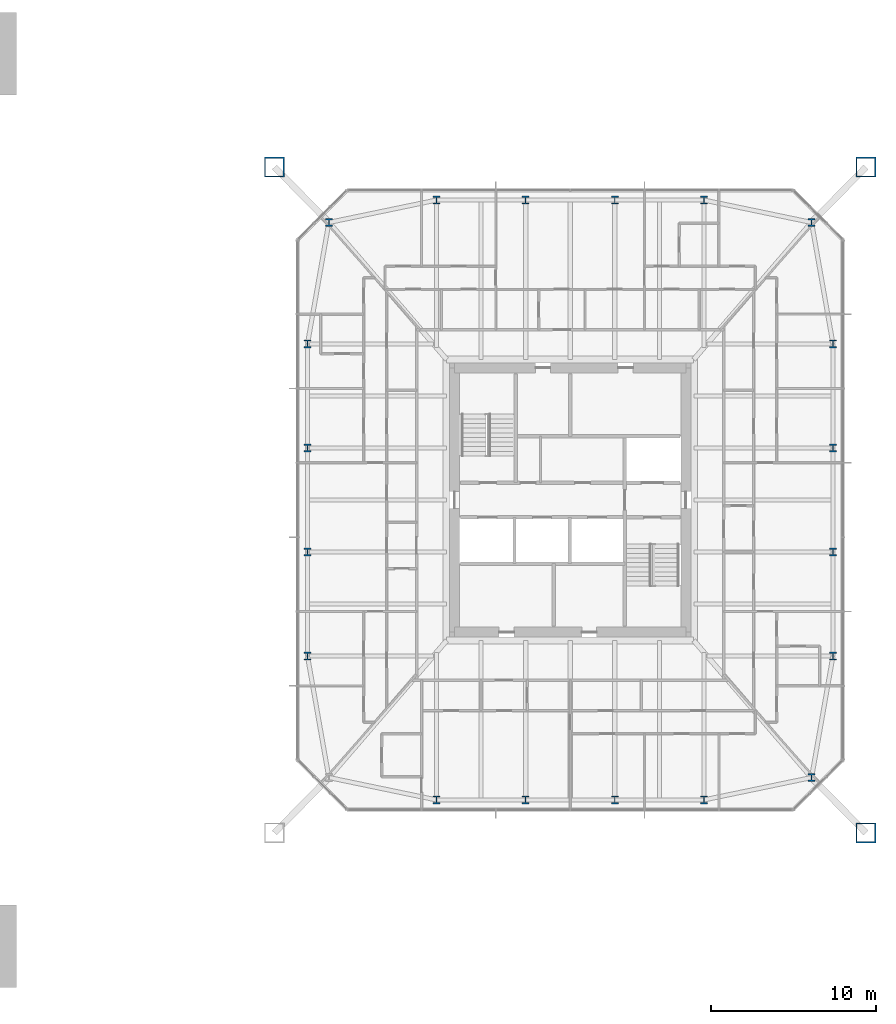
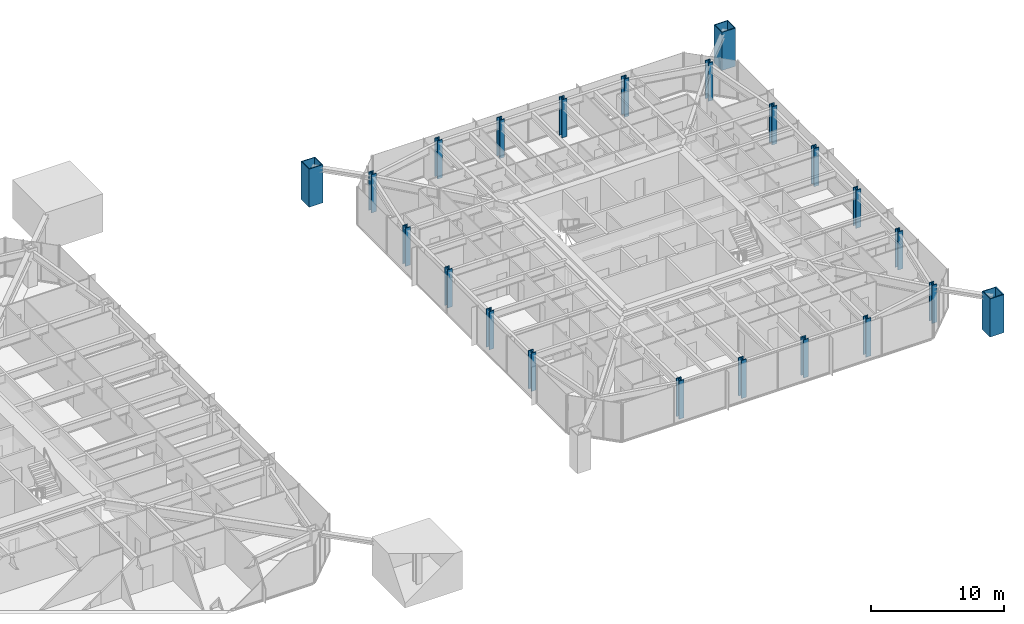
# One storey, part 2 of 26: 22 columns.
"""IFC4 building model written with IfcOpenShell, lengths in metres."""

import ifcopenshell
import ifcopenshell.guid

model = None  # the IFC model being written
_history = None  # IfcOwnerHistory: only IFC2X3 demands one
_inside = {}  # id of a spatial element -> (the spatial element, [elements in it])
_under = {}  # id of a project, library or spatial element -> (it, [spatial elements below it])
_declared = {}  # id of a project -> (the project, [libraries it declares])
_typed = {}  # id of a type object -> (the type object, [elements of that type])
_made_of = {}  # id of a material, layer set ... -> (it, [elements and type objects made of it])


def new_model(schema):
    """Start an empty IFC model of exactly this schema.

    Asked for "IFC4X3", IfcOpenShell would pick the latest addendum, in which some entities
    have other attributes; the version numbers below select the first issue.
    IFC2X3 requires an IfcOwnerHistory on every rooted entity: one is made here for all.
    """
    global model, _history
    if schema == "IFC4X3":
        model = ifcopenshell.file(schema_version=(4, 3, 0, 0))
    else:
        model = ifcopenshell.file(schema=schema)
    _inside.clear()
    _under.clear()
    _declared.clear()
    _typed.clear()
    _made_of.clear()
    _history = None
    if model.schema == "IFC2X3":
        org = make("IfcOrganization", Name="unknown")
        user = make(
            "IfcPersonAndOrganization",
            ThePerson=make("IfcPerson", FamilyName="unknown"),
            TheOrganization=org,
        )
        app = make(
            "IfcApplication",
            ApplicationDeveloper=org,
            Version="unknown",
            ApplicationFullName="unknown",
            ApplicationIdentifier="unknown",
        )
        _history = make(
            "IfcOwnerHistory",
            OwningUser=user,
            OwningApplication=app,
            ChangeAction="ADDED",
            CreationDate=0,
        )
    return model


def make(cls, **values):
    """One entity of the class cls with the attributes given. An attribute that is None is left unset."""
    return model.create_entity(
        cls, **{name: value for name, value in values.items() if value is not None}
    )


def rooted(cls, **values):
    """An entity with a GlobalId (a new one), such as an element, a storey or a relation."""
    return make(cls, GlobalId=ifcopenshell.guid.new(), OwnerHistory=_history, **values)


def si_unit(unit_type, name, prefix=None):
    """IfcSIUnit, for example si_unit("LENGTHUNIT", "METRE", prefix="MILLI")."""
    return make("IfcSIUnit", UnitType=unit_type, Prefix=prefix, Name=name)


def assignment(units):
    """IfcUnitAssignment: the units of a project."""
    return None if units is None else make("IfcUnitAssignment", Units=units)


def point(xyz):
    """IfcCartesianPoint."""
    return None if xyz is None else make("IfcCartesianPoint", Coordinates=xyz)


def direction(xyz):
    """IfcDirection."""
    return None if xyz is None else make("IfcDirection", DirectionRatios=xyz)


def frame(location, z_axis=None, x_axis=None):
    """IfcAxis2Placement3D, a coordinate frame: its origin and axes. An axis left out is left unset."""
    return make(
        "IfcAxis2Placement3D",
        Location=point(location),
        Axis=direction(z_axis),
        RefDirection=direction(x_axis),
    )


def frame_2d(location, x_axis=None):
    """IfcAxis2Placement2D, a coordinate frame in the plane: its origin and x axis."""
    return make(
        "IfcAxis2Placement2D", Location=point(location), RefDirection=direction(x_axis)
    )


def origin():
    """The frame at (0, 0, 0) with its axes left unset."""
    return frame((0.0, 0.0, 0.0))


def origin_2d():
    """The frame at (0, 0) in the plane with its x axis left unset."""
    return frame_2d((0.0, 0.0))


def place(relative_to, where):
    """IfcLocalPlacement: puts the frame where relative to a parent placement (None: the world)."""
    return make(
        "IfcLocalPlacement", PlacementRelTo=relative_to, RelativePlacement=where
    )


def context(
    kind, dimensions, precision=None, world=None, true_north=None, identifier=None
):
    """IfcGeometricRepresentationContext, for example the 3D "Model" context."""
    return make(
        "IfcGeometricRepresentationContext",
        ContextIdentifier=identifier,
        ContextType=kind,
        CoordinateSpaceDimension=dimensions,
        Precision=precision,
        WorldCoordinateSystem=world,
        TrueNorth=true_north,
    )


def subcontext(parent, identifier, kind, view, scale=None):
    """IfcGeometricRepresentationSubContext, for example "Body" below "Model"."""
    return make(
        "IfcGeometricRepresentationSubContext",
        ContextIdentifier=identifier,
        ContextType=kind,
        ParentContext=parent,
        TargetScale=scale,
        TargetView=view,
    )


def project(units=None, contexts=None):
    """IfcProject with its units and contexts."""
    return rooted(
        "IfcProject",
        Name="project",
        RepresentationContexts=contexts,
        UnitsInContext=assignment(units),
    )


def spatial(cls, under=None, at=None, **own):
    """A site, building, storey or space (cls), placed at a placement, below another one or the project."""
    s = rooted(cls, ObjectPlacement=at, **own)
    if under is not None:
        _under.setdefault(under.id(), (under, []))[1].append(s)
    return s


def profile(cls, at=None, kind="AREA", **sizes):
    """A parametric profile (cls). Its sizes go by their IFC names, for example OverallWidth=200.0."""
    return make(cls, ProfileType=kind, Position=at, **sizes)


def hollow_rectangle(**sizes):
    """IfcRectangleHollowProfileDef."""
    return profile("IfcRectangleHollowProfileDef", **sizes)


def i_section(**sizes):
    """IfcIShapeProfileDef."""
    return profile("IfcIShapeProfileDef", **sizes)


def extrude(swept, where, along, depth):
    """IfcExtrudedAreaSolid: the profile swept, set in the frame where, extruded along a direction by depth."""
    return make(
        "IfcExtrudedAreaSolid",
        SweptArea=swept,
        Position=where,
        ExtrudedDirection=direction(along),
        Depth=depth,
    )


def shape(context_of_items, identifier, shape_type, items):
    """IfcShapeRepresentation: the items that make up one representation, for example the "Body"."""
    return make(
        "IfcShapeRepresentation",
        ContextOfItems=context_of_items,
        RepresentationIdentifier=identifier,
        RepresentationType=shape_type,
        Items=items,
    )


def material(Name=None, Category=None):
    """IfcMaterial."""
    return make("IfcMaterial", Name=Name, Category=Category)


def material_profile(
    of_material, cross_section, Name=None, Category=None, Priority=None
):
    """IfcMaterialProfile: a cross section and its material."""
    return make(
        "IfcMaterialProfile",
        Name=Name,
        Material=of_material,
        Profile=cross_section,
        Priority=Priority,
        Category=Category,
    )


def profile_set(profiles, Name=None, composite=None):
    """IfcMaterialProfileSet."""
    return make(
        "IfcMaterialProfileSet",
        Name=Name,
        MaterialProfiles=profiles,
        CompositeProfile=composite,
    )


def made_of(thing, what):
    """Note that an element or type object is made of a material, layer set ...; save() writes the relation."""
    if what is not None:
        _made_of.setdefault(what.id(), (what, []))[1].append(thing)
    return thing


def type_object(cls, material=None, **own):
    """A type object (cls), such as IfcWallType, which elements share."""
    return made_of(rooted(cls, **own), material)


def element(
    cls,
    number,
    at=None,
    inside=None,
    cuts=None,
    type_object=None,
    material=None,
    context=None,
    identifier="Body",
    shape_type=None,
    held_by="IfcProductDefinitionShape",
    body=None,
    shapes=None,
    **own,
):
    """One element of the class cls, such as IfcWall. Its Tag is "e" and its number.

    at: its placement. inside: the storey or other place that contains it. cuts: it is an
    opening in that element (IfcRelVoidsElement). A single representation is given by context,
    identifier, shape_type and body (its items); several are given by shapes. held_by: the class
    of the entity that holds the representations. save() writes the other relations.
    """
    e = rooted(cls, Tag="e%d" % number, ObjectPlacement=at, **own)
    if body is not None:
        shapes = [shape(context, identifier, shape_type, body)]
    if shapes is not None:
        e.Representation = make(held_by, Representations=shapes)
    if inside is not None:
        _inside.setdefault(inside.id(), (inside, []))[1].append(e)
    if cuts is not None:
        rooted(
            "IfcRelVoidsElement", RelatingBuildingElement=cuts, RelatedOpeningElement=e
        )
    if type_object is not None:
        _typed.setdefault(type_object.id(), (type_object, []))[1].append(e)
    return made_of(e, material)


def aggregate(whole, parts):
    """IfcRelAggregates: a whole, such as a stair, and the parts it consists of."""
    return rooted("IfcRelAggregates", RelatingObject=whole, RelatedObjects=parts)


def save(model, path):
    """Write the relations noted so far, then the file.

    IfcRelAggregates (storeys below a building ...), IfcRelContainedInSpatialStructure (elements
    in a storey), IfcRelDefinesByType, IfcRelAssociatesMaterial and IfcRelDeclares: one each for
    every whole, place, type object, material and project.
    """
    for whole, parts in _under.values():
        aggregate(whole, parts)
    for where, things in _inside.values():
        rooted(
            "IfcRelContainedInSpatialStructure",
            RelatedElements=things,
            RelatingStructure=where,
        )
    for kind, things in _typed.values():
        rooted("IfcRelDefinesByType", RelatedObjects=things, RelatingType=kind)
    for what, things in _made_of.values():
        rooted("IfcRelAssociatesMaterial", RelatedObjects=things, RelatingMaterial=what)
    for by, libraries in _declared.values():
        rooted("IfcRelDeclares", RelatingContext=by, RelatedDefinitions=libraries)
    model.write(path)


model = new_model("IFC4")

# Units and contexts
model_context = context("Model", 3, precision=1e-05, world=origin(), true_north=direction((0.0, 1.0)))
body_context = subcontext(model_context, "Body", "Model", "MODEL_VIEW")
ifc_project = project(units=[si_unit("LENGTHUNIT", "METRE"), si_unit("AREAUNIT", "SQUARE_METRE"), si_unit("VOLUMEUNIT", "CUBIC_METRE"), si_unit("PLANEANGLEUNIT", "RADIAN"), si_unit("MASSUNIT", "GRAM", prefix="KILO")], contexts=[model_context])

# Site, building, storey
site_placement = place(None, origin())
site = spatial("IfcSite", under=ifc_project, at=site_placement, CompositionType="ELEMENT")
building_placement = place(site_placement, origin())
building = spatial("IfcBuilding", under=site, at=building_placement, Name="Iwan Alto Co-Living Towers", CompositionType="ELEMENT")
storey_placement = place(building_placement, frame((0.0, 0.0, 22.0)))
storey = spatial("IfcBuildingStorey", under=building, at=storey_placement, Name="L05", CompositionType="ELEMENT", Elevation=22.0)

# Columns
ifc_material_1 = material(Name="Steel ASTM A572 Gr 50", Category="steel")
ifc_material_profile_1 = material_profile(ifc_material_1, hollow_rectangle(XDim=1.199951171875, YDim=1.199951171875, WallThickness=0.070068359375, at=origin_2d()), Name="BOX 1200X1200X70")
ifc_profile_set_1 = profile_set([ifc_material_profile_1], Name="Steel ASTM A572 Gr 50")
column_type_1 = type_object("IfcColumnType", Name="T2 MEGA COLUMN BOX 1200X1200X70", PredefinedType="COLUMN", material=ifc_profile_set_1)
for number, where, z_axis, x_axis, name in (
    (1, (80.89990234375, -20.14990234375, 0.0), (0.0, 0.0, 1.0), (1.0, 0.0, 0.0), "T2 mega column SE L05"),
    (2, (80.89990234375, 20.14990234375, 0.0), (0.0, 0.0, 1.0), (1.0, 0.0, 0.0), "T2 mega column NE L05"),
    (3, (45.10009765625, 20.14990234375, 0.0), (0.0, 0.0, 1.0), (1.0, 0.0, 0.0), "T2 mega column NW L05"),
):
    element("IfcColumn", number, at=place(storey_placement, frame(where, z_axis=z_axis, x_axis=x_axis)), inside=storey, type_object=column_type_1, Name=name, PredefinedType="COLUMN", context=body_context, shape_type="SweptSolid", body=[
        extrude(hollow_rectangle(XDim=1.199951171875, YDim=1.199951171875, WallThickness=0.070068359375, at=origin_2d()), origin(), (0.0, 0.0, 1.0), 3.5),
    ])
ifc_material_2 = material(Name="Steel ASTM A992 Gr 50", Category="steel")
ifc_material_profile_2 = material_profile(ifc_material_2, i_section(OverallWidth=0.424072265625, OverallDepth=0.47509765625, WebThickness=0.0478515625, FlangeThickness=0.0771484375, at=origin_2d()), Name="W14X426")
ifc_profile_set_2 = profile_set([ifc_material_profile_2], Name="Steel ASTM A992 Gr 50")
column_type_2 = type_object("IfcColumnType", Name="T2 RING COLUMN W14X426", PredefinedType="COLUMN", material=ifc_profile_set_2)
for number, where, z_axis, x_axis, name in (
    (4, (54.89990234375, -18.14990234375, 0.0), (0.0, 0.0, 1.0), (1.0, 0.0, 0.0), "T2 ring column S1 L05"),
    (5, (60.300048828125, -18.14990234375, 0.0), (0.0, 0.0, 1.0), (1.0, 0.0, 0.0), "T2 ring column S2 L05"),
    (6, (65.699951171875, -18.14990234375, 0.0), (0.0, 0.0, 1.0), (1.0, 0.0, 0.0), "T2 ring column S3 L05"),
    (7, (71.10009765625, -18.14990234375, 0.0), (0.0, 0.0, 1.0), (1.0, 0.0, 0.0), "T2 ring column S4 L05"),
    (8, (77.606201171875, -16.797119140625, 0.0), (0.0, 0.0, 1.0), (1.0, 0.0, 0.0), "T2 ring column CSE L05"),
    (9, (78.89990234375, -9.449951171875, 0.0), (0.0, 0.0, 1.0), (1.0, 0.0, 0.0), "T2 ring column E1 L05"),
    (10, (78.89990234375, -3.14990234375, 0.0), (0.0, 0.0, 1.0), (1.0, 0.0, 0.0), "T2 ring column E2 L05"),
    (11, (78.89990234375, 3.14990234375, 0.0), (0.0, 0.0, 1.0), (1.0, 0.0, 0.0), "T2 ring column E3 L05"),
    (12, (78.89990234375, 9.449951171875, 0.0), (0.0, 0.0, 1.0), (1.0, 0.0, 0.0), "T2 ring column E4 L05"),
    (13, (77.606201171875, 16.797119140625, 0.0), (0.0, 0.0, 1.0), (1.0, 0.0, 0.0), "T2 ring column CNE L05"),
    (14, (71.10009765625, 18.14990234375, 0.0), (0.0, 0.0, 1.0), (1.0, 0.0, 0.0), "T2 ring column N1 L05"),
    (15, (65.699951171875, 18.14990234375, 0.0), (0.0, 0.0, 1.0), (1.0, 0.0, 0.0), "T2 ring column N2 L05"),
    (16, (60.300048828125, 18.14990234375, 0.0), (0.0, 0.0, 1.0), (1.0, 0.0, 0.0), "T2 ring column N3 L05"),
    (17, (54.89990234375, 18.14990234375, 0.0), (0.0, 0.0, 1.0), (1.0, 0.0, 0.0), "T2 ring column N4 L05"),
    (18, (48.393798828125, 16.797119140625, 0.0), (0.0, 0.0, 1.0), (1.0, 0.0, 0.0), "T2 ring column CNW L05"),
    (19, (47.10009765625, 9.449951171875, 0.0), (0.0, 0.0, 1.0), (1.0, 0.0, 0.0), "T2 ring column W1 L05"),
    (20, (47.10009765625, 3.14990234375, 0.0), (0.0, 0.0, 1.0), (1.0, 0.0, 0.0), "T2 ring column W2 L05"),
    (21, (47.10009765625, -3.14990234375, 0.0), (0.0, 0.0, 1.0), (1.0, 0.0, 0.0), "T2 ring column W3 L05"),
    (22, (47.10009765625, -9.449951171875, 0.0), (0.0, 0.0, 1.0), (1.0, 0.0, 0.0), "T2 ring column W4 L05"),
):
    element("IfcColumn", number, at=place(storey_placement, frame(where, z_axis=z_axis, x_axis=x_axis)), inside=storey, type_object=column_type_2, Name=name, PredefinedType="COLUMN", context=body_context, shape_type="SweptSolid", body=[
        extrude(i_section(OverallWidth=0.424072265625, OverallDepth=0.47509765625, WebThickness=0.0478515625, FlangeThickness=0.0771484375, at=origin_2d()), origin(), (0.0, 0.0, 1.0), 3.5),
    ])

save(model, "model.ifc")
